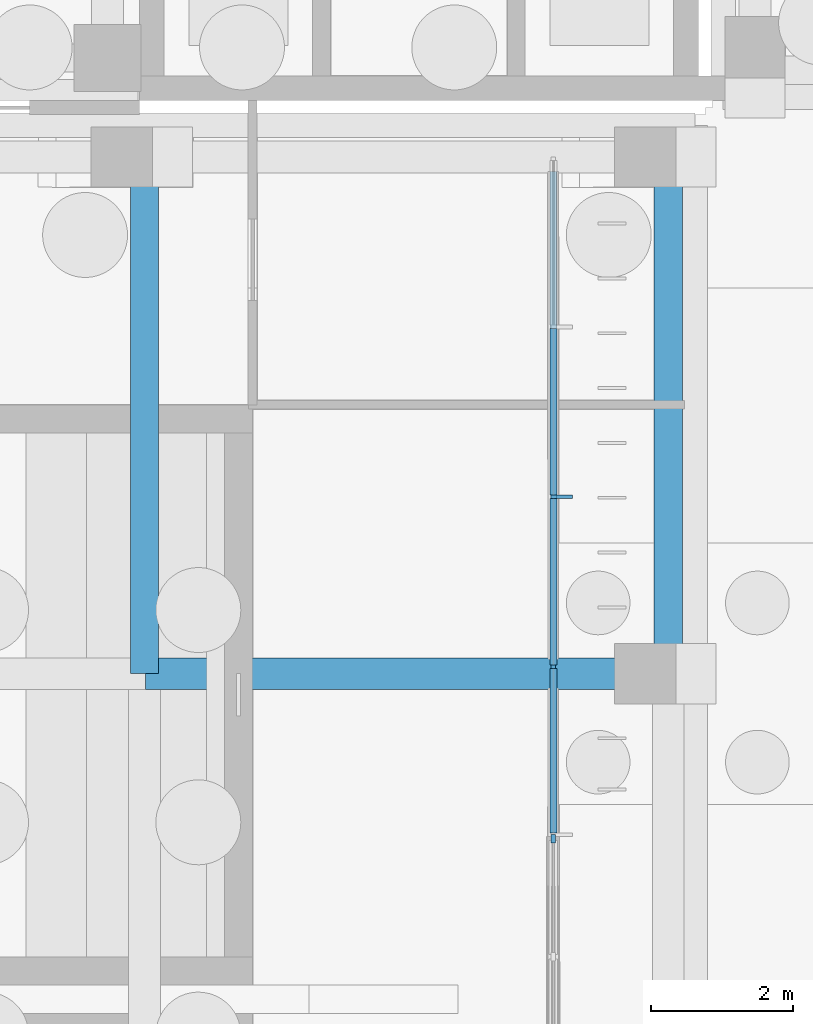
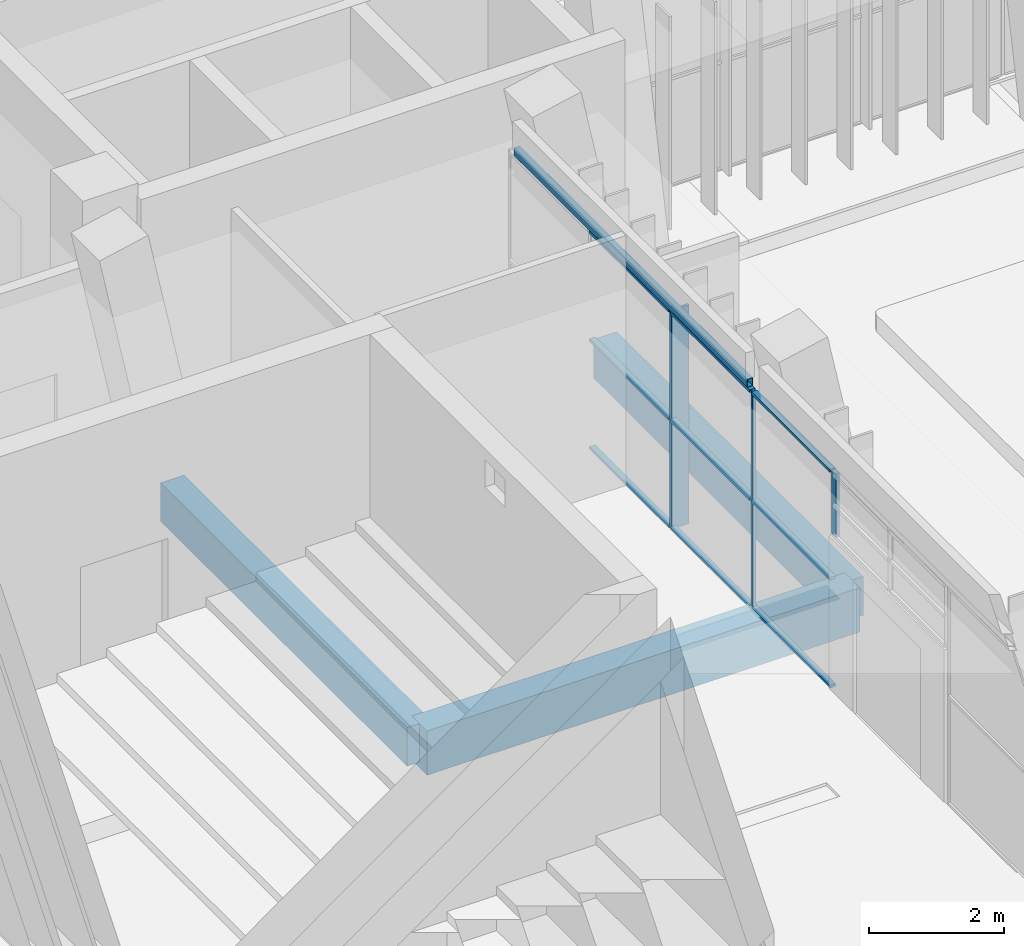
# One storey, part 51 of 144: 12 members, 4 beams, 2 elements without a shape of their own.
"""IFC4 building model written with IfcOpenShell, lengths in metres."""

from ifc_helpers import new_model, si_unit, direction, frame, origin, origin_2d, place, context, subcontext, project, spatial, rectangle, hollow_rectangle, extrude, material, material_profile, profile_set, type_object, element, aggregate, save


model = new_model("IFC4")

# Units and contexts
model_context = context("Model", 3, precision=1e-05, world=origin(), true_north=direction((0.0, 1.0)))
body_context = subcontext(model_context, "Body", "Model", "MODEL_VIEW")
ifc_project = project(units=[si_unit("LENGTHUNIT", "METRE"), si_unit("AREAUNIT", "SQUARE_METRE"), si_unit("VOLUMEUNIT", "CUBIC_METRE"), si_unit("PLANEANGLEUNIT", "RADIAN"), si_unit("MASSUNIT", "GRAM", prefix="KILO")], contexts=[model_context])

# Site, building, storey
site_placement = place(None, origin())
site = spatial("IfcSite", under=ifc_project, at=site_placement, CompositionType="ELEMENT")
building_placement = place(site_placement, origin())
building = spatial("IfcBuilding", under=site, at=building_placement, Name="Lantern Court Media Centre", CompositionType="ELEMENT")
storey_placement = place(building_placement, origin())
storey = spatial("IfcBuildingStorey", under=building, at=storey_placement, Name="L00", CompositionType="ELEMENT", Elevation=0.0)

# Curtain wall, members
ifc_material_1 = material(Name="Curtain wall bay 2400")
curtain_wall_type_1 = type_object("IfcCurtainWallType", Name="Curtain wall bay 2400", PredefinedType="NOTDEFINED", material=ifc_material_1)
curtain_wall_1_placement = place(storey_placement, origin())
curtain_wall_1 = element("IfcCurtainWall", 1, at=curtain_wall_1_placement, inside=storey, type_object=curtain_wall_type_1, Name="Curtain wall W inner L00", PredefinedType="NOTDEFINED")
ifc_material_2 = material(Name="Anodised aluminium", Category="aluminium")
ifc_material_profile_1 = material_profile(ifc_material_2, rectangle(XDim=0.300048828125, YDim=0.050048828125, at=origin_2d()), Name="AL 50x300")
ifc_profile_set_1 = profile_set([ifc_material_profile_1], Name="Anodised aluminium")
member_type_1 = type_object("IfcMemberType", Name="Curtain wall mullion 50x300", PredefinedType="MULLION", material=ifc_profile_set_1)
member_1_placement = place(storey_placement, frame((21.969970703125, 90.5, 0.0), z_axis=(0.0, 0.0, 1.0), x_axis=(-1.0, 0.0, 0.0)))
member_1 = element("IfcMember", 2, at=member_1_placement, type_object=member_type_1, Name="CW2 mullion 3", PredefinedType="MULLION", context=body_context, shape_type="SweptSolid", body=[
    extrude(rectangle(XDim=0.300048828125, YDim=0.050048828125, at=origin_2d()), origin(), (0.0, 0.0, 1.0), 3.949951171875),
])
ifc_material_profile_2 = material_profile(ifc_material_2, rectangle(XDim=0.06005859375, YDim=0.050048828125, at=origin_2d()), Name="AL 50x60")
ifc_profile_set_2 = profile_set([ifc_material_profile_2], Name="Anodised aluminium")
member_type_2 = type_object("IfcMemberType", Name="Curtain wall mullion 50x60", PredefinedType="MULLION", material=ifc_profile_set_2)
member_2_placement = place(storey_placement, frame((21.85009765625, 88.10009765625, 0.0), z_axis=(0.0, 0.0, 1.0), x_axis=(-1.0, 0.0, 0.0)))
member_2 = element("IfcMember", 3, at=member_2_placement, type_object=member_type_2, Name="CW2 mullion 2", PredefinedType="MULLION", context=body_context, shape_type="SweptSolid", body=[
    extrude(rectangle(XDim=0.06005859375, YDim=0.050048828125, at=origin_2d()), origin(), (0.0, 0.0, 1.0), 3.949951171875),
])

# Curtain wall, member
ifc_material_3 = material(Name="Curtain wall bay 1700")
curtain_wall_type_2 = type_object("IfcCurtainWallType", Name="Curtain wall bay 1700", PredefinedType="NOTDEFINED", material=ifc_material_3)
curtain_wall_2_placement = place(storey_placement, origin())
curtain_wall_2 = element("IfcCurtainWall", 4, at=curtain_wall_2_placement, inside=storey, type_object=curtain_wall_type_2, Name="Curtain wall W inner L00", PredefinedType="NOTDEFINED")
ifc_material_profile_3 = material_profile(ifc_material_2, rectangle(XDim=0.06005859375, YDim=0.1201171875, at=origin_2d()), Name="AL 60x120")
ifc_profile_set_3 = profile_set([ifc_material_profile_3], Name="Anodised aluminium")
member_type_3 = type_object("IfcMemberType", Name="Curtain wall mullion 60x120", PredefinedType="MULLION", material=ifc_profile_set_3)
member_3_placement = place(storey_placement, frame((21.85009765625, 85.669921875, 2.800048828125), z_axis=(0.0, 0.0, 1.0), x_axis=(-1.0, 0.0, 0.0)))
member_3 = element("IfcMember", 5, at=member_3_placement, type_object=member_type_3, Name="CW4 mullion 3", PredefinedType="MULLION", context=body_context, shape_type="SweptSolid", body=[
    extrude(rectangle(XDim=0.06005859375, YDim=0.1201171875, at=origin_2d()), origin(), (0.0, 0.0, 1.0), 1.14990234375),
])
aggregate(curtain_wall_2, [member_3])

# Member
ifc_material_profile_4 = material_profile(ifc_material_2, rectangle(XDim=0.10009765625, YDim=0.050048828125, at=origin_2d()), Name="AL 50x100")
ifc_profile_set_4 = profile_set([ifc_material_profile_4], Name="Anodised aluminium")
member_type_4 = type_object("IfcMemberType", Name="Curtain wall transom 100x50", PredefinedType="USERDEFINED", material=ifc_profile_set_4)
member_4_placement = place(storey_placement, frame((21.85009765625, 85.75, 0.02490234375), z_axis=(0.0, 1.0, 0.0), x_axis=(-1.0, 0.0, 0.0)))
member_4 = element("IfcMember", 6, at=member_4_placement, type_object=member_type_4, Name="CW2 transom 1.1", ObjectType="TRANSOM", PredefinedType="USERDEFINED", context=body_context, shape_type="SweptSolid", body=[
    extrude(rectangle(XDim=0.10009765625, YDim=0.050048828125, at=origin_2d()), origin(), (0.0, 0.0, 1.0), 2.324951171875),
])

member_5_placement = place(storey_placement, frame((21.85009765625, 85.75, 1.97509765625), z_axis=(0.0, 1.0, 0.0), x_axis=(-1.0, 0.0, 0.0)))
member_5 = element("IfcMember", 7, at=member_5_placement, type_object=member_type_4, Name="CW2 transom 1.2", ObjectType="TRANSOM", PredefinedType="USERDEFINED", context=body_context, shape_type="SweptSolid", body=[
    extrude(rectangle(XDim=0.10009765625, YDim=0.050048828125, at=origin_2d()), origin(), (0.0, 0.0, 1.0), 2.324951171875),
])

member_6_placement = place(storey_placement, frame((21.85009765625, 85.75, 3.925048828125), z_axis=(0.0, 1.0, 0.0), x_axis=(-1.0, 0.0, 0.0)))
member_6 = element("IfcMember", 8, at=member_6_placement, type_object=member_type_4, Name="CW2 transom 1.3", ObjectType="TRANSOM", PredefinedType="USERDEFINED", context=body_context, shape_type="SweptSolid", body=[
    extrude(rectangle(XDim=0.10009765625, YDim=0.050048828125, at=origin_2d()), origin(), (0.0, 0.0, 1.0), 2.324951171875),
])

member_7_placement = place(storey_placement, frame((21.85009765625, 88.125, 0.02490234375), z_axis=(0.0, 1.0, 0.0), x_axis=(-1.0, 0.0, 0.0)))
member_7 = element("IfcMember", 9, at=member_7_placement, type_object=member_type_4, Name="CW2 transom 2.1", ObjectType="TRANSOM", PredefinedType="USERDEFINED", context=body_context, shape_type="SweptSolid", body=[
    extrude(rectangle(XDim=0.10009765625, YDim=0.050048828125, at=origin_2d()), origin(), (0.0, 0.0, 1.0), 2.35009765625),
])

member_8_placement = place(storey_placement, frame((21.85009765625, 88.125, 1.97509765625), z_axis=(0.0, 1.0, 0.0), x_axis=(-1.0, 0.0, 0.0)))
member_8 = element("IfcMember", 10, at=member_8_placement, type_object=member_type_4, Name="CW2 transom 2.2", ObjectType="TRANSOM", PredefinedType="USERDEFINED", context=body_context, shape_type="SweptSolid", body=[
    extrude(rectangle(XDim=0.10009765625, YDim=0.050048828125, at=origin_2d()), origin(), (0.0, 0.0, 1.0), 2.35009765625),
])

member_9_placement = place(storey_placement, frame((21.85009765625, 88.125, 3.925048828125), z_axis=(0.0, 1.0, 0.0), x_axis=(-1.0, 0.0, 0.0)))
member_9 = element("IfcMember", 11, at=member_9_placement, type_object=member_type_4, Name="CW2 transom 2.3", ObjectType="TRANSOM", PredefinedType="USERDEFINED", context=body_context, shape_type="SweptSolid", body=[
    extrude(rectangle(XDim=0.10009765625, YDim=0.050048828125, at=origin_2d()), origin(), (0.0, 0.0, 1.0), 2.35009765625),
])

member_10_placement = place(storey_placement, frame((21.85009765625, 90.52490234375, 0.02490234375), z_axis=(0.0, 1.0, 0.0), x_axis=(-1.0, 0.0, 0.0)))
member_10 = element("IfcMember", 12, at=member_10_placement, type_object=member_type_4, Name="CW2 transom 3.1", ObjectType="TRANSOM", PredefinedType="USERDEFINED", context=body_context, shape_type="SweptSolid", body=[
    extrude(rectangle(XDim=0.10009765625, YDim=0.050048828125, at=origin_2d()), origin(), (0.0, 0.0, 1.0), 2.35009765625),
])

member_11_placement = place(storey_placement, frame((21.85009765625, 90.52490234375, 1.97509765625), z_axis=(0.0, 1.0, 0.0), x_axis=(-1.0, 0.0, 0.0)))
member_11 = element("IfcMember", 13, at=member_11_placement, type_object=member_type_4, Name="CW2 transom 3.2", ObjectType="TRANSOM", PredefinedType="USERDEFINED", context=body_context, shape_type="SweptSolid", body=[
    extrude(rectangle(XDim=0.10009765625, YDim=0.050048828125, at=origin_2d()), origin(), (0.0, 0.0, 1.0), 2.35009765625),
])

member_12_placement = place(storey_placement, frame((21.85009765625, 90.52490234375, 3.925048828125), z_axis=(0.0, 1.0, 0.0), x_axis=(-1.0, 0.0, 0.0)))
member_12 = element("IfcMember", 14, at=member_12_placement, type_object=member_type_4, Name="CW2 transom 3.3", ObjectType="TRANSOM", PredefinedType="USERDEFINED", context=body_context, shape_type="SweptSolid", body=[
    extrude(rectangle(XDim=0.10009765625, YDim=0.050048828125, at=origin_2d()), origin(), (0.0, 0.0, 1.0), 2.35009765625),
])

aggregate(curtain_wall_1, [member_2, member_1, member_4, member_5, member_6, member_7, member_8, member_9, member_10, member_11, member_12])

# Beams
ifc_material_4 = material(Name="Steel S355J2 (EN 10025-2)", Category="steel")
ifc_material_profile_5 = material_profile(ifc_material_4, hollow_rectangle(XDim=0.10009765625, YDim=0.14990234375, WallThickness=0.00634765625, InnerFilletRadius=0.00634765625, OuterFilletRadius=0.009521484375, at=origin_2d()), Name="Facade head lintel RHS 150x100x6.3")
ifc_profile_set_5 = profile_set([ifc_material_profile_5], Name="Steel S355J2 (EN 10025-2)")
beam_type_1 = type_object("IfcBeamType", Name="Facade head lintel RHS 150x100x6.3", PredefinedType="BEAM", material=ifc_profile_set_5)
beam_1_placement = place(storey_placement, frame((21.85009765625, 88.199951171875, 4.02490234375), z_axis=(0.0, 1.0, 0.0), x_axis=(-1.0, 0.0, 0.0)))
element("IfcBeam", 15, at=beam_1_placement, inside=storey, type_object=beam_type_1, Name="Facade head lintel W L00", PredefinedType="BEAM", context=body_context, shape_type="SweptSolid", body=[
    extrude(hollow_rectangle(XDim=0.10009765625, YDim=0.14990234375, WallThickness=0.00634765625, InnerFilletRadius=0.00634765625, OuterFilletRadius=0.009521484375, at=origin_2d()), origin(), (0.0, 0.0, 1.0), 6.900146484375),
])
ifc_material_5 = material(Name="Concrete C35", Category="concrete")
ifc_material_profile_6 = material_profile(ifc_material_5, rectangle(XDim=0.39990234375, YDim=0.699951171875, at=origin_2d()), Name="RC 400x700")
ifc_profile_set_6 = profile_set([ifc_material_profile_6], Name="Concrete C35")
beam_type_2 = type_object("IfcBeamType", Name="RC BEAM 400x700", PredefinedType="BEAM", material=ifc_profile_set_6)
for number, where, z_axis, x_axis, name in (
    (16, (16.072998046875, 88.0, -0.35009765625), (0.0, 1.0, 0.0), (-1.0, 0.0, 0.0), "LB-W-L00-1-3"),
    (17, (23.472900390625, 88.0, -0.35009765625), (0.0, 1.0, 0.0), (-1.0, 0.0, 0.0), "LB-W-L00-2-3"),
):
    element("IfcBeam", number, at=place(storey_placement, frame(where, z_axis=z_axis, x_axis=x_axis)), inside=storey, type_object=beam_type_2, Name=name, PredefinedType="BEAM", context=body_context, shape_type="SweptSolid", body=[
        extrude(rectangle(XDim=0.39990234375, YDim=0.699951171875, at=origin_2d()), origin(), (0.0, 0.0, 1.0), 7.300048828125),
    ])
ifc_material_profile_7 = material_profile(ifc_material_5, rectangle(XDim=0.449951171875, YDim=0.800048828125, at=origin_2d()), Name="RC 450x800")
ifc_profile_set_7 = profile_set([ifc_material_profile_7], Name="Concrete C35")
beam_type_3 = type_object("IfcBeamType", Name="RC BEAM 450x800", PredefinedType="BEAM", material=ifc_profile_set_7)
beam_2_placement = place(storey_placement, frame((16.083251953125, 88.0, -0.39990234375), z_axis=(1.0, 0.0, 0.0), x_axis=(0.0, 1.0, 0.0)))
element("IfcBeam", 18, at=beam_2_placement, inside=storey, type_object=beam_type_3, Name="TB-W-L00-3-2", PredefinedType="BEAM", context=body_context, shape_type="SweptSolid", body=[
    extrude(rectangle(XDim=0.449951171875, YDim=0.800048828125, at=origin_2d()), origin(), (0.0, 0.0, 1.0), 7.400146484375),
])

save(model, "model.ifc")
